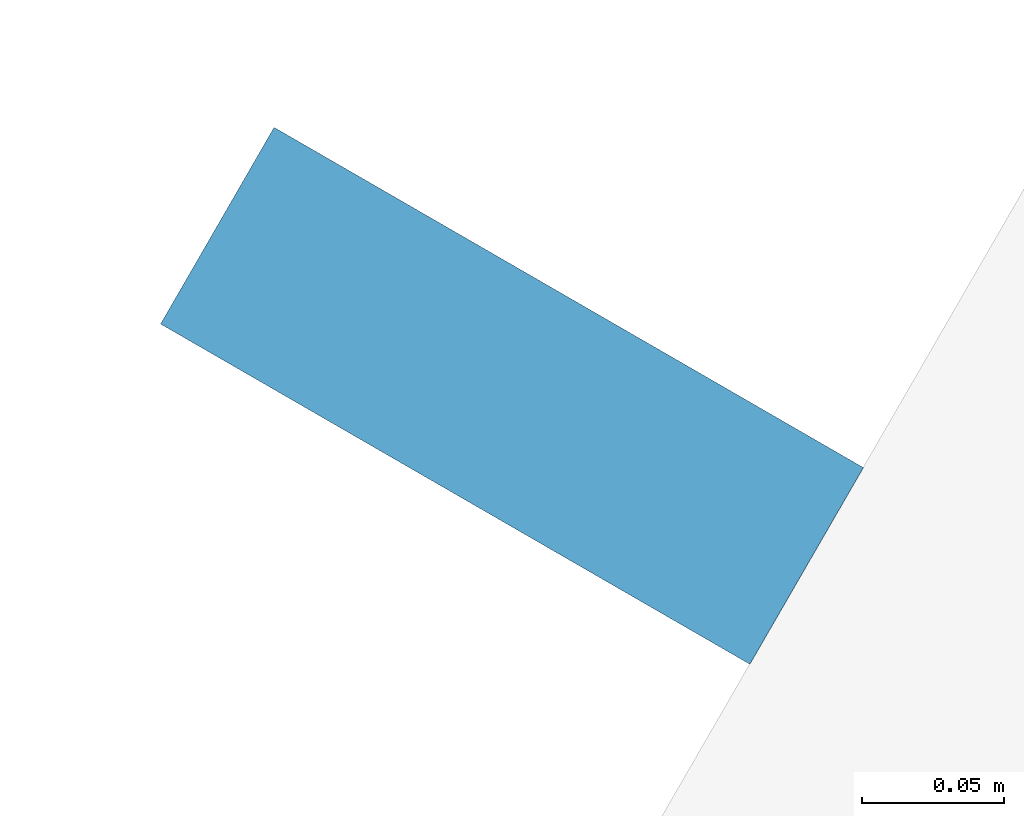
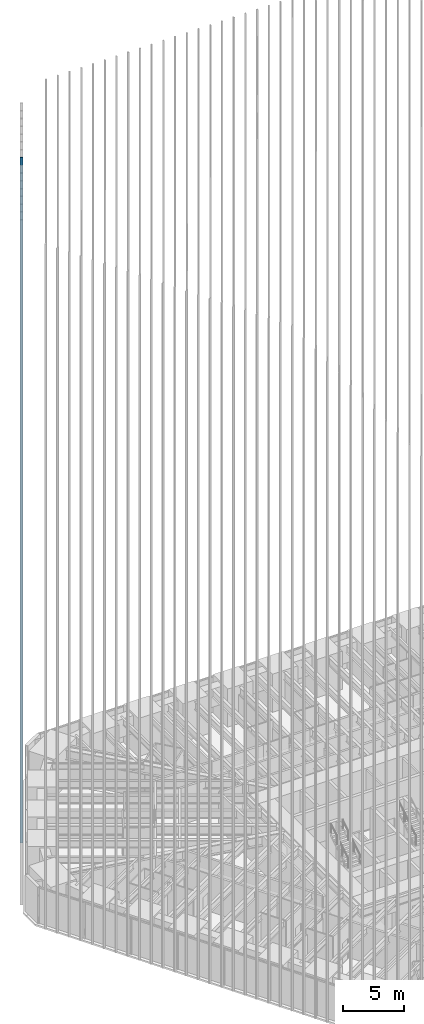
# One storey, part 148 of 256: 1 member, 1 element without a shape of its own.
"""IFC4 building model written with IfcOpenShell, lengths in metres."""

from ifc_helpers import new_model, si_unit, direction, frame, origin, origin_2d, place, context, subcontext, project, spatial, rectangle, extrude, material, material_profile, profile_set, type_object, element, aggregate, save


model = new_model("IFC4")

# Units and contexts
model_context = context("Model", 3, precision=1e-05, world=origin(), true_north=direction((0.0, 1.0)))
body_context = subcontext(model_context, "Body", "Model", "MODEL_VIEW")
ifc_project = project(units=[si_unit("LENGTHUNIT", "METRE"), si_unit("AREAUNIT", "SQUARE_METRE"), si_unit("VOLUMEUNIT", "CUBIC_METRE"), si_unit("PLANEANGLEUNIT", "RADIAN"), si_unit("MASSUNIT", "GRAM", prefix="KILO")], contexts=[model_context])

# Site, building, storey
site_placement = place(None, origin())
site = spatial("IfcSite", under=ifc_project, at=site_placement, CompositionType="ELEMENT")
building_placement = place(site_placement, origin())
building = spatial("IfcBuilding", under=site, at=building_placement, Name="Sandreach Pilgrim Tower", CompositionType="ELEMENT")
storey_placement = place(building_placement, frame((0.0, 0.0, 23.0)))
storey = spatial("IfcBuildingStorey", under=building, at=storey_placement, Name="L04", CompositionType="ELEMENT", Elevation=23.0)

# Curtain wall, member
ifc_material_1 = material(Name="Aluminium framed curtain wall", Category="aluminium")
curtain_wall_type = type_object("IfcCurtainWallType", Name="Hostel tower curtain wall", PredefinedType="NOTDEFINED", material=ifc_material_1)
curtain_wall_placement = place(storey_placement, origin())
curtain_wall = element("IfcCurtainWall", 1, at=curtain_wall_placement, inside=storey, type_object=curtain_wall_type, Name="CW-1 L04 NW", PredefinedType="NOTDEFINED")
ifc_material_2 = material(Name="Extruded terracotta on aluminium core", Category="masonry")
ifc_material_profile = material_profile(ifc_material_2, rectangle(XDim=0.080078125, YDim=0.239990234375, at=origin_2d()), Name="TBW 80X240")
ifc_profile_set = profile_set([ifc_material_profile], Name="Extruded terracotta on aluminium core")
member_type = type_object("IfcMemberType", Name="Terracotta baguette west", PredefinedType="USERDEFINED", material=ifc_profile_set)
member_placement = place(storey_placement, frame((-26.076904296875, 15.695068359375, 0.0), z_axis=(0.0, 0.0, 1.0), x_axis=(0.5, 0.866025403784, 0.0)))
member = element("IfcMember", 2, at=member_placement, type_object=member_type, Name="Baguette Z1 NW09", ObjectType="BAGUETTE", PredefinedType="USERDEFINED", context=body_context, shape_type="SweptSolid", body=[
    extrude(rectangle(XDim=0.080078125, YDim=0.239990234375, at=origin_2d()), origin(), (0.0, 0.0, 1.0), 68.239990234375),
])
aggregate(curtain_wall, [member])

save(model, "model.ifc")
